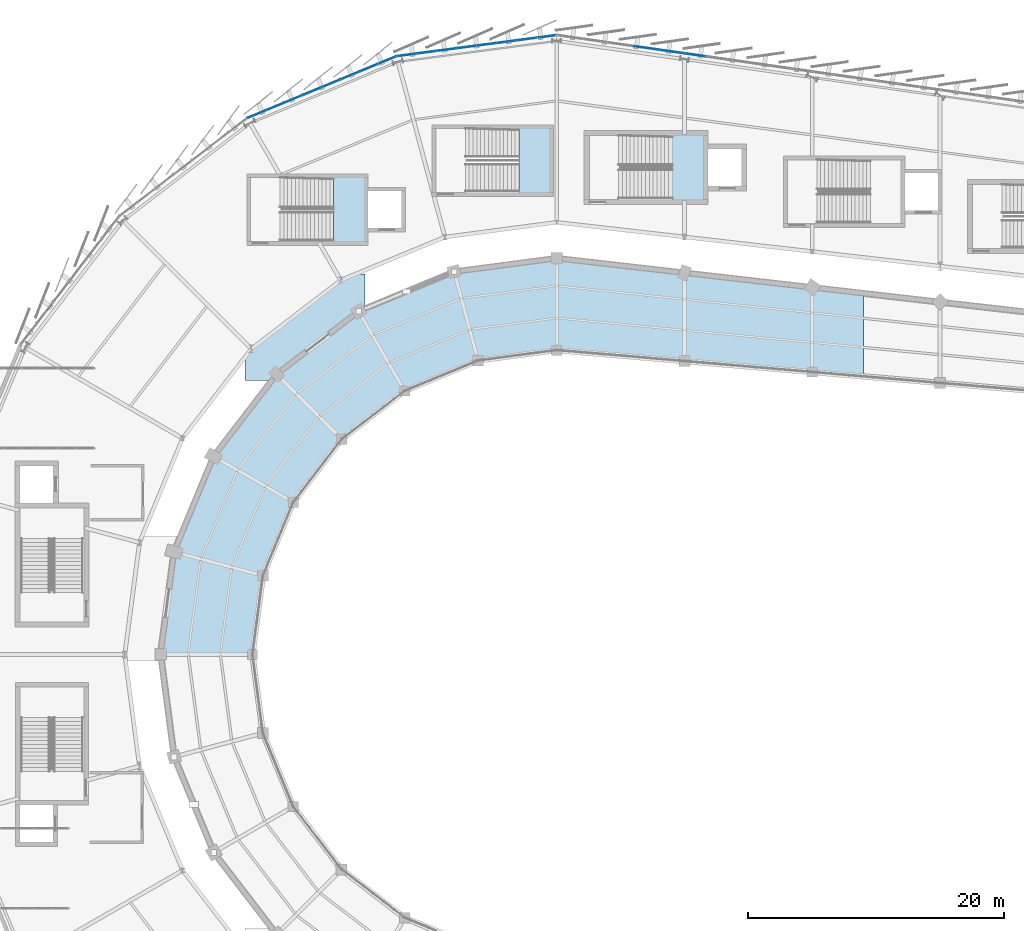
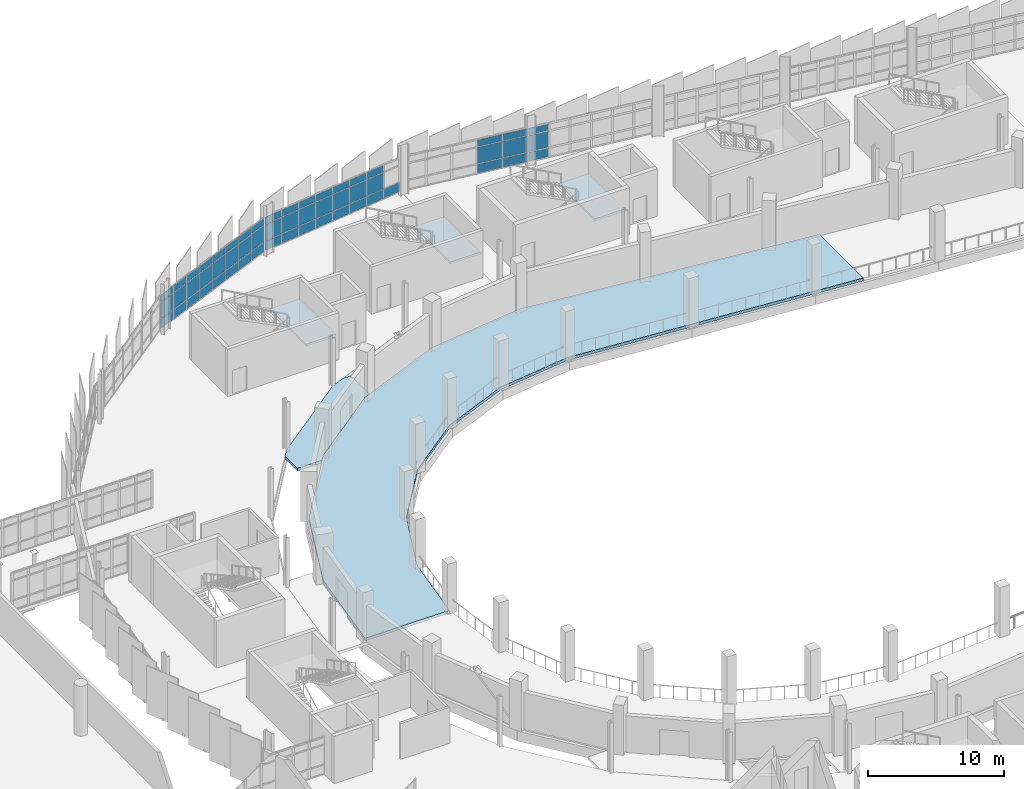
# One storey, part 90 of 125: 55 plates, 5 slabs, 7 elements without a shape of their own.
"""IFC4 building model written with IfcOpenShell, lengths in metres."""

from ifc_helpers import new_model, si_unit, direction, frame, origin, origin_2d, place, context, subcontext, project, spatial, polyline, rectangle, outline, extrude, material, layer, layer_set, type_object, element, aggregate, save


model = new_model("IFC4")

# Units and contexts
model_context = context("Model", 3, precision=1e-05, world=origin(), true_north=direction((0.0, 1.0)))
body_context = subcontext(model_context, "Body", "Model", "MODEL_VIEW")
ifc_project = project(units=[si_unit("LENGTHUNIT", "METRE"), si_unit("AREAUNIT", "SQUARE_METRE"), si_unit("VOLUMEUNIT", "CUBIC_METRE"), si_unit("PLANEANGLEUNIT", "RADIAN"), si_unit("MASSUNIT", "GRAM", prefix="KILO")], contexts=[model_context])

# Site, building, storey
site_placement = place(None, origin())
site = spatial("IfcSite", under=ifc_project, at=site_placement, CompositionType="ELEMENT")
building_placement = place(site_placement, origin())
building = spatial("IfcBuilding", under=site, at=building_placement, Name="Sohan Crest Arena", CompositionType="ELEMENT")
storey_placement = place(building_placement, frame((0.0, 0.0, 9.0)))
storey = spatial("IfcBuildingStorey", under=building, at=storey_placement, Name="L02", CompositionType="ELEMENT", Elevation=9.0)

# Curtain wall, plates
ifc_material_1 = material(Name="Thermally broken anodised aluminium", Category="aluminium")
ifc_layer_1 = layer(ifc_material_1, 0.179931640625, Name="Thermally broken anodised aluminium")
ifc_layer_set_1 = layer_set([ifc_layer_1], Name="Thermally broken anodised aluminium")
curtain_wall_type_1 = type_object("IfcCurtainWallType", Name="ARC-CW01", PredefinedType="NOTDEFINED", material=ifc_layer_set_1)
curtain_wall_1_placement = place(storey_placement, origin())
curtain_wall_1 = element("IfcCurtainWall", 1, at=curtain_wall_1_placement, inside=storey, type_object=curtain_wall_type_1, Name="Unitised curtain wall CW-050", PredefinedType="NOTDEFINED")
ifc_material_2 = material(Name="Low-E double-glazed insulated glass", Category="glass")
ifc_layer_2 = layer(ifc_material_2, 0.028076171875, Name="Low-E double-glazed insulated glass")
ifc_layer_set_2 = layer_set([ifc_layer_2], Name="Low-E double-glazed insulated glass")
plate_type_1 = type_object("IfcPlateType", Name="ARC-CNP01", PredefinedType="CURTAIN_PANEL", material=ifc_layer_set_2)
plate_1_placement = place(storey_placement, frame((97.201416015625, 126.344970703125, 0.06005859375), z_axis=(0.0, 0.0, 1.0), x_axis=(-0.991444066575, -0.130532229177, 0.0)))
plate_1 = element("IfcPlate", 2, at=plate_1_placement, type_object=plate_type_1, Name="CW-050 panel 1.1", PredefinedType="CURTAIN_PANEL", context=body_context, shape_type="SweptSolid", body=[
    extrude(rectangle(XDim=1.490966796875, YDim=0.028076171875, at=origin_2d()), origin(), (0.0, 0.0, 1.0), 0.81005859375),
])
plate_2_placement = place(storey_placement, frame((95.648681640625, 126.140380859375, 0.06005859375), z_axis=(0.0, 0.0, 1.0), x_axis=(-0.991444066575, -0.130532229177, 0.0)))
plate_2 = element("IfcPlate", 3, at=plate_2_placement, type_object=plate_type_1, Name="CW-050 panel 2.1", PredefinedType="CURTAIN_PANEL", context=body_context, shape_type="SweptSolid", body=[
    extrude(rectangle(XDim=1.52099609375, YDim=0.028076171875, at=origin_2d()), origin(), (0.0, 0.0, 1.0), 0.81005859375),
])
plate_3_placement = place(storey_placement, frame((95.648681640625, 126.140380859375, 0.929931640625), z_axis=(0.0, 0.0, 1.0), x_axis=(-0.991444066575, -0.130532229177, 0.0)))
plate_3 = element("IfcPlate", 4, at=plate_3_placement, type_object=plate_type_1, Name="CW-050 panel 2.2", PredefinedType="CURTAIN_PANEL", context=body_context, shape_type="SweptSolid", body=[
    extrude(rectangle(XDim=1.52099609375, YDim=0.028076171875, at=origin_2d()), origin(), (0.0, 0.0, 1.0), 1.4599609375),
])
plate_4_placement = place(storey_placement, frame((95.648681640625, 126.140380859375, 2.44970703125), z_axis=(0.0, 0.0, 1.0), x_axis=(-0.991444066575, -0.130532229177, 0.0)))
plate_4 = element("IfcPlate", 5, at=plate_4_placement, type_object=plate_type_1, Name="CW-050 panel 2.3", PredefinedType="CURTAIN_PANEL", context=body_context, shape_type="SweptSolid", body=[
    extrude(rectangle(XDim=1.52099609375, YDim=0.028076171875, at=origin_2d()), origin(), (0.0, 0.0, 1.0), 0.610107421875),
])
plate_5_placement = place(storey_placement, frame((94.081298828125, 125.93408203125, 0.06005859375), z_axis=(0.0, 0.0, 1.0), x_axis=(-0.991444066575, -0.130532229177, 0.0)))
plate_5 = element("IfcPlate", 6, at=plate_5_placement, type_object=plate_type_1, Name="CW-050 panel 3.1", PredefinedType="CURTAIN_PANEL", context=body_context, shape_type="SweptSolid", body=[
    extrude(rectangle(XDim=1.52099609375, YDim=0.028076171875, at=origin_2d()), origin(), (0.0, 0.0, 1.0), 0.81005859375),
])
plate_6_placement = place(storey_placement, frame((94.081298828125, 125.93408203125, 0.929931640625), z_axis=(0.0, 0.0, 1.0), x_axis=(-0.991444066575, -0.130532229177, 0.0)))
plate_6 = element("IfcPlate", 7, at=plate_6_placement, type_object=plate_type_1, Name="CW-050 panel 3.2", PredefinedType="CURTAIN_PANEL", context=body_context, shape_type="SweptSolid", body=[
    extrude(rectangle(XDim=1.52099609375, YDim=0.028076171875, at=origin_2d()), origin(), (0.0, 0.0, 1.0), 1.4599609375),
])
plate_7_placement = place(storey_placement, frame((94.081298828125, 125.93408203125, 2.44970703125), z_axis=(0.0, 0.0, 1.0), x_axis=(-0.991444066575, -0.130532229177, 0.0)))
plate_7 = element("IfcPlate", 8, at=plate_7_placement, type_object=plate_type_1, Name="CW-050 panel 3.3", PredefinedType="CURTAIN_PANEL", context=body_context, shape_type="SweptSolid", body=[
    extrude(rectangle(XDim=1.52099609375, YDim=0.028076171875, at=origin_2d()), origin(), (0.0, 0.0, 1.0), 0.610107421875),
])
plate_8_placement = place(storey_placement, frame((92.513671875, 125.727783203125, 0.06005859375), z_axis=(0.0, 0.0, 1.0), x_axis=(-0.991444066575, -0.130532229177, 0.0)))
plate_8 = element("IfcPlate", 9, at=plate_8_placement, type_object=plate_type_1, Name="CW-050 panel 4.1", PredefinedType="CURTAIN_PANEL", context=body_context, shape_type="SweptSolid", body=[
    extrude(rectangle(XDim=1.52099609375, YDim=0.028076171875, at=origin_2d()), origin(), (0.0, 0.0, 1.0), 0.81005859375),
])
plate_9_placement = place(storey_placement, frame((92.513671875, 125.727783203125, 0.929931640625), z_axis=(0.0, 0.0, 1.0), x_axis=(-0.991444066575, -0.130532229177, 0.0)))
plate_9 = element("IfcPlate", 10, at=plate_9_placement, type_object=plate_type_1, Name="CW-050 panel 4.2", PredefinedType="CURTAIN_PANEL", context=body_context, shape_type="SweptSolid", body=[
    extrude(rectangle(XDim=1.52099609375, YDim=0.028076171875, at=origin_2d()), origin(), (0.0, 0.0, 1.0), 1.4599609375),
])
plate_10_placement = place(storey_placement, frame((92.513671875, 125.727783203125, 2.44970703125), z_axis=(0.0, 0.0, 1.0), x_axis=(-0.991444066575, -0.130532229177, 0.0)))
plate_10 = element("IfcPlate", 11, at=plate_10_placement, type_object=plate_type_1, Name="CW-050 panel 4.3", PredefinedType="CURTAIN_PANEL", context=body_context, shape_type="SweptSolid", body=[
    extrude(rectangle(XDim=1.52099609375, YDim=0.028076171875, at=origin_2d()), origin(), (0.0, 0.0, 1.0), 0.610107421875),
])
plate_11_placement = place(storey_placement, frame((90.9462890625, 125.521240234375, 0.06005859375), z_axis=(0.0, 0.0, 1.0), x_axis=(-0.991444066575, -0.130532229177, 0.0)))
plate_11 = element("IfcPlate", 12, at=plate_11_placement, type_object=plate_type_1, Name="CW-050 panel 5.1", PredefinedType="CURTAIN_PANEL", context=body_context, shape_type="SweptSolid", body=[
    extrude(rectangle(XDim=1.52099609375, YDim=0.028076171875, at=origin_2d()), origin(), (0.0, 0.0, 1.0), 0.81005859375),
])
plate_12_placement = place(storey_placement, frame((90.9462890625, 125.521240234375, 0.929931640625), z_axis=(0.0, 0.0, 1.0), x_axis=(-0.991444066575, -0.130532229177, 0.0)))
plate_12 = element("IfcPlate", 13, at=plate_12_placement, type_object=plate_type_1, Name="CW-050 panel 5.2", PredefinedType="CURTAIN_PANEL", context=body_context, shape_type="SweptSolid", body=[
    extrude(rectangle(XDim=1.52099609375, YDim=0.028076171875, at=origin_2d()), origin(), (0.0, 0.0, 1.0), 1.4599609375),
])
plate_13_placement = place(storey_placement, frame((90.9462890625, 125.521240234375, 2.44970703125), z_axis=(0.0, 0.0, 1.0), x_axis=(-0.991444066575, -0.130532229177, 0.0)))
plate_13 = element("IfcPlate", 14, at=plate_13_placement, type_object=plate_type_1, Name="CW-050 panel 5.3", PredefinedType="CURTAIN_PANEL", context=body_context, shape_type="SweptSolid", body=[
    extrude(rectangle(XDim=1.52099609375, YDim=0.028076171875, at=origin_2d()), origin(), (0.0, 0.0, 1.0), 0.610107421875),
])
plate_14_placement = place(storey_placement, frame((89.378662109375, 125.31494140625, 0.06005859375), z_axis=(0.0, 0.0, 1.0), x_axis=(-0.991444066575, -0.130532229177, 0.0)))
plate_14 = element("IfcPlate", 15, at=plate_14_placement, type_object=plate_type_1, Name="CW-050 panel 6.1", PredefinedType="CURTAIN_PANEL", context=body_context, shape_type="SweptSolid", body=[
    extrude(rectangle(XDim=1.52099609375, YDim=0.028076171875, at=origin_2d()), origin(), (0.0, 0.0, 1.0), 0.81005859375),
])
plate_15_placement = place(storey_placement, frame((89.378662109375, 125.31494140625, 0.929931640625), z_axis=(0.0, 0.0, 1.0), x_axis=(-0.991444066575, -0.130532229177, 0.0)))
plate_15 = element("IfcPlate", 16, at=plate_15_placement, type_object=plate_type_1, Name="CW-050 panel 6.2", PredefinedType="CURTAIN_PANEL", context=body_context, shape_type="SweptSolid", body=[
    extrude(rectangle(XDim=1.52099609375, YDim=0.028076171875, at=origin_2d()), origin(), (0.0, 0.0, 1.0), 1.4599609375),
])
plate_16_placement = place(storey_placement, frame((89.378662109375, 125.31494140625, 2.44970703125), z_axis=(0.0, 0.0, 1.0), x_axis=(-0.991444066575, -0.130532229177, 0.0)))
plate_16 = element("IfcPlate", 17, at=plate_16_placement, type_object=plate_type_1, Name="CW-050 panel 6.3", PredefinedType="CURTAIN_PANEL", context=body_context, shape_type="SweptSolid", body=[
    extrude(rectangle(XDim=1.52099609375, YDim=0.028076171875, at=origin_2d()), origin(), (0.0, 0.0, 1.0), 0.610107421875),
])
plate_17_placement = place(storey_placement, frame((87.811279296875, 125.108642578125, 0.06005859375), z_axis=(0.0, 0.0, 1.0), x_axis=(-0.991444066575, -0.130532229177, 0.0)))
plate_17 = element("IfcPlate", 18, at=plate_17_placement, type_object=plate_type_1, Name="CW-050 panel 7.1", PredefinedType="CURTAIN_PANEL", context=body_context, shape_type="SweptSolid", body=[
    extrude(rectangle(XDim=1.52099609375, YDim=0.028076171875, at=origin_2d()), origin(), (0.0, 0.0, 1.0), 0.81005859375),
])
plate_18_placement = place(storey_placement, frame((87.811279296875, 125.108642578125, 0.929931640625), z_axis=(0.0, 0.0, 1.0), x_axis=(-0.991444066575, -0.130532229177, 0.0)))
plate_18 = element("IfcPlate", 19, at=plate_18_placement, type_object=plate_type_1, Name="CW-050 panel 7.2", PredefinedType="CURTAIN_PANEL", context=body_context, shape_type="SweptSolid", body=[
    extrude(rectangle(XDim=1.52099609375, YDim=0.028076171875, at=origin_2d()), origin(), (0.0, 0.0, 1.0), 1.4599609375),
])
plate_19_placement = place(storey_placement, frame((87.811279296875, 125.108642578125, 2.44970703125), z_axis=(0.0, 0.0, 1.0), x_axis=(-0.991444066575, -0.130532229177, 0.0)))
plate_19 = element("IfcPlate", 20, at=plate_19_placement, type_object=plate_type_1, Name="CW-050 panel 7.3", PredefinedType="CURTAIN_PANEL", context=body_context, shape_type="SweptSolid", body=[
    extrude(rectangle(XDim=1.52099609375, YDim=0.028076171875, at=origin_2d()), origin(), (0.0, 0.0, 1.0), 0.610107421875),
])
plate_20_placement = place(storey_placement, frame((86.258544921875, 124.904052734375, 0.06005859375), z_axis=(0.0, 0.0, 1.0), x_axis=(-0.991444066575, -0.130532229177, 0.0)))
plate_20 = element("IfcPlate", 21, at=plate_20_placement, type_object=plate_type_1, Name="CW-050 panel 8.1", PredefinedType="CURTAIN_PANEL", context=body_context, shape_type="SweptSolid", body=[
    extrude(rectangle(XDim=1.490966796875, YDim=0.028076171875, at=origin_2d()), origin(), (0.0, 0.0, 1.0), 0.81005859375),
])
plate_21_placement = place(storey_placement, frame((86.258544921875, 124.904052734375, 0.929931640625), z_axis=(0.0, 0.0, 1.0), x_axis=(-0.991444066575, -0.130532229177, 0.0)))
plate_21 = element("IfcPlate", 22, at=plate_21_placement, type_object=plate_type_1, Name="CW-050 panel 8.2", PredefinedType="CURTAIN_PANEL", context=body_context, shape_type="SweptSolid", body=[
    extrude(rectangle(XDim=1.490966796875, YDim=0.028076171875, at=origin_2d()), origin(), (0.0, 0.0, 1.0), 1.4599609375),
])
plate_22_placement = place(storey_placement, frame((86.258544921875, 124.904052734375, 2.44970703125), z_axis=(0.0, 0.0, 1.0), x_axis=(-0.991444066575, -0.130532229177, 0.0)))
plate_22 = element("IfcPlate", 23, at=plate_22_placement, type_object=plate_type_1, Name="CW-050 panel 8.3", PredefinedType="CURTAIN_PANEL", context=body_context, shape_type="SweptSolid", body=[
    extrude(rectangle(XDim=1.490966796875, YDim=0.028076171875, at=origin_2d()), origin(), (0.0, 0.0, 1.0), 0.610107421875),
])
aggregate(curtain_wall_1, [plate_1, plate_2, plate_3, plate_4, plate_5, plate_6, plate_7, plate_8, plate_9, plate_10, plate_11, plate_12, plate_13, plate_14, plate_15, plate_16, plate_17, plate_18, plate_19, plate_20, plate_21, plate_22])

ifc_layer_3 = layer(ifc_material_1, 0.219970703125, Name="Thermally broken anodised aluminium")
ifc_layer_set_3 = layer_set([ifc_layer_3], Name="Thermally broken anodised aluminium")
curtain_wall_type_2 = type_object("IfcCurtainWallType", Name="ARC-CW03", PredefinedType="NOTDEFINED", material=ifc_layer_set_3)
curtain_wall_2_placement = place(storey_placement, origin())
curtain_wall_2 = element("IfcCurtainWall", 24, at=curtain_wall_2_placement, inside=storey, type_object=curtain_wall_type_2, Name="Unitised curtain wall CW-078", PredefinedType="NOTDEFINED")
plate_23_placement = place(storey_placement, frame((108.84814453125, 124.89990234375, 0.070068359375), z_axis=(0.0, 0.0, 1.0), x_axis=(-0.989957411768, 0.141365918403, 0.0)))
plate_23 = element("IfcPlate", 25, at=plate_23_placement, type_object=plate_type_1, Name="CW-078 panel 6.1", PredefinedType="CURTAIN_PANEL", context=body_context, shape_type="SweptSolid", body=[
    extrude(rectangle(XDim=1.593505859375, YDim=0.028076171875, at=origin_2d()), origin(), (0.0, 0.0, 1.0), 0.794921875),
])
plate_24_placement = place(storey_placement, frame((108.84814453125, 124.89990234375, 0.93505859375), z_axis=(0.0, 0.0, 1.0), x_axis=(-0.989957411768, 0.141365918403, 0.0)))
plate_24 = element("IfcPlate", 26, at=plate_24_placement, type_object=plate_type_1, Name="CW-078 panel 6.2", PredefinedType="CURTAIN_PANEL", context=body_context, shape_type="SweptSolid", body=[
    extrude(rectangle(XDim=1.593505859375, YDim=0.028076171875, at=origin_2d()), origin(), (0.0, 0.0, 1.0), 1.449951171875),
])
plate_25_placement = place(storey_placement, frame((108.84814453125, 124.89990234375, 2.455078125), z_axis=(0.0, 0.0, 1.0), x_axis=(-0.989957411768, 0.141365918403, 0.0)))
plate_25 = element("IfcPlate", 27, at=plate_25_placement, type_object=plate_type_1, Name="CW-078 panel 6.3", PredefinedType="CURTAIN_PANEL", context=body_context, shape_type="SweptSolid", body=[
    extrude(rectangle(XDim=1.593505859375, YDim=0.028076171875, at=origin_2d()), origin(), (0.0, 0.0, 1.0), 0.594970703125),
])
aggregate(curtain_wall_2, [plate_23, plate_24, plate_25])

ifc_layer_4 = layer(ifc_material_1, 0.199951171875, Name="Thermally broken anodised aluminium")
ifc_layer_set_4 = layer_set([ifc_layer_4], Name="Thermally broken anodised aluminium")
curtain_wall_type_3 = type_object("IfcCurtainWallType", Name="ARC-CW02", PredefinedType="NOTDEFINED", material=ifc_layer_set_4)
curtain_wall_3_placement = place(storey_placement, origin())
curtain_wall_3 = element("IfcCurtainWall", 28, at=curtain_wall_3_placement, inside=storey, type_object=curtain_wall_type_3, Name="Unitised curtain wall CW-051", PredefinedType="NOTDEFINED")
ifc_layer_5 = layer(ifc_material_2, 0.031982421875, Name="Low-E double-glazed insulated glass")
ifc_layer_set_5 = layer_set([ifc_layer_5], Name="Low-E double-glazed insulated glass")
plate_type_2 = type_object("IfcPlateType", Name="ARC-CNP02", PredefinedType="CURTAIN_PANEL", material=ifc_layer_set_5)
plate_26_placement = place(storey_placement, frame((84.714599609375, 124.490234375, 0.06494140625), z_axis=(0.0, 0.0, 1.0), x_axis=(-0.92388192189, -0.382677663845, 0.0)))
plate_26 = element("IfcPlate", 29, at=plate_26_placement, type_object=plate_type_2, Name="CW-051 panel 1.1", PredefinedType="CURTAIN_PANEL", context=body_context, shape_type="SweptSolid", body=[
    extrude(rectangle(XDim=1.4833984375, YDim=0.031982421875, at=origin_2d()), origin(), (0.0, 0.0, 1.0), 0.802490234375),
])
plate_27_placement = place(storey_placement, frame((84.714599609375, 124.490234375, 0.932373046875), z_axis=(0.0, 0.0, 1.0), x_axis=(-0.92388192189, -0.382677663845, 0.0)))
plate_27 = element("IfcPlate", 30, at=plate_27_placement, type_object=plate_type_2, Name="CW-051 panel 1.2", PredefinedType="CURTAIN_PANEL", context=body_context, shape_type="SweptSolid", body=[
    extrude(rectangle(XDim=1.4833984375, YDim=0.031982421875, at=origin_2d()), origin(), (0.0, 0.0, 1.0), 1.455078125),
])
plate_28_placement = place(storey_placement, frame((84.714599609375, 124.490234375, 2.452392578125), z_axis=(0.0, 0.0, 1.0), x_axis=(-0.92388192189, -0.382677663845, 0.0)))
plate_28 = element("IfcPlate", 31, at=plate_28_placement, type_object=plate_type_2, Name="CW-051 panel 1.3", PredefinedType="CURTAIN_PANEL", context=body_context, shape_type="SweptSolid", body=[
    extrude(rectangle(XDim=1.4833984375, YDim=0.031982421875, at=origin_2d()), origin(), (0.0, 0.0, 1.0), 0.6025390625),
])
plate_29_placement = place(storey_placement, frame((83.26904296875, 123.8916015625, 0.06494140625), z_axis=(0.0, 0.0, 1.0), x_axis=(-0.92388192189, -0.382677663845, 0.0)))
plate_29 = element("IfcPlate", 32, at=plate_29_placement, type_object=plate_type_2, Name="CW-051 panel 2.1", PredefinedType="CURTAIN_PANEL", context=body_context, shape_type="SweptSolid", body=[
    extrude(rectangle(XDim=1.515869140625, YDim=0.031982421875, at=origin_2d()), origin(), (0.0, 0.0, 1.0), 0.802490234375),
])
plate_30_placement = place(storey_placement, frame((83.26904296875, 123.8916015625, 0.932373046875), z_axis=(0.0, 0.0, 1.0), x_axis=(-0.92388192189, -0.382677663845, 0.0)))
plate_30 = element("IfcPlate", 33, at=plate_30_placement, type_object=plate_type_2, Name="CW-051 panel 2.2", PredefinedType="CURTAIN_PANEL", context=body_context, shape_type="SweptSolid", body=[
    extrude(rectangle(XDim=1.515869140625, YDim=0.031982421875, at=origin_2d()), origin(), (0.0, 0.0, 1.0), 1.455078125),
])
plate_31_placement = place(storey_placement, frame((83.26904296875, 123.8916015625, 2.452392578125), z_axis=(0.0, 0.0, 1.0), x_axis=(-0.92388192189, -0.382677663845, 0.0)))
plate_31 = element("IfcPlate", 34, at=plate_31_placement, type_object=plate_type_2, Name="CW-051 panel 2.3", PredefinedType="CURTAIN_PANEL", context=body_context, shape_type="SweptSolid", body=[
    extrude(rectangle(XDim=1.515869140625, YDim=0.031982421875, at=origin_2d()), origin(), (0.0, 0.0, 1.0), 0.6025390625),
])
plate_32_placement = place(storey_placement, frame((81.808349609375, 123.28662109375, 0.06494140625), z_axis=(0.0, 0.0, 1.0), x_axis=(-0.92388192189, -0.382677663845, 0.0)))
plate_32 = element("IfcPlate", 35, at=plate_32_placement, type_object=plate_type_2, Name="CW-051 panel 3.1", PredefinedType="CURTAIN_PANEL", context=body_context, shape_type="SweptSolid", body=[
    extrude(rectangle(XDim=1.515869140625, YDim=0.031982421875, at=origin_2d()), origin(), (0.0, 0.0, 1.0), 0.802490234375),
])
plate_33_placement = place(storey_placement, frame((81.808349609375, 123.28662109375, 0.932373046875), z_axis=(0.0, 0.0, 1.0), x_axis=(-0.92388192189, -0.382677663845, 0.0)))
plate_33 = element("IfcPlate", 36, at=plate_33_placement, type_object=plate_type_2, Name="CW-051 panel 3.2", PredefinedType="CURTAIN_PANEL", context=body_context, shape_type="SweptSolid", body=[
    extrude(rectangle(XDim=1.515869140625, YDim=0.031982421875, at=origin_2d()), origin(), (0.0, 0.0, 1.0), 1.455078125),
])
plate_34_placement = place(storey_placement, frame((81.808349609375, 123.28662109375, 2.452392578125), z_axis=(0.0, 0.0, 1.0), x_axis=(-0.92388192189, -0.382677663845, 0.0)))
plate_34 = element("IfcPlate", 37, at=plate_34_placement, type_object=plate_type_2, Name="CW-051 panel 3.3", PredefinedType="CURTAIN_PANEL", context=body_context, shape_type="SweptSolid", body=[
    extrude(rectangle(XDim=1.515869140625, YDim=0.031982421875, at=origin_2d()), origin(), (0.0, 0.0, 1.0), 0.6025390625),
])
plate_35_placement = place(storey_placement, frame((80.347900390625, 122.681396484375, 0.06494140625), z_axis=(0.0, 0.0, 1.0), x_axis=(-0.92388192189, -0.382677663845, 0.0)))
plate_35 = element("IfcPlate", 38, at=plate_35_placement, type_object=plate_type_2, Name="CW-051 panel 4.1", PredefinedType="CURTAIN_PANEL", context=body_context, shape_type="SweptSolid", body=[
    extrude(rectangle(XDim=1.515869140625, YDim=0.031982421875, at=origin_2d()), origin(), (0.0, 0.0, 1.0), 0.802490234375),
])
plate_36_placement = place(storey_placement, frame((80.347900390625, 122.681396484375, 0.932373046875), z_axis=(0.0, 0.0, 1.0), x_axis=(-0.92388192189, -0.382677663845, 0.0)))
plate_36 = element("IfcPlate", 39, at=plate_36_placement, type_object=plate_type_2, Name="CW-051 panel 4.2", PredefinedType="CURTAIN_PANEL", context=body_context, shape_type="SweptSolid", body=[
    extrude(rectangle(XDim=1.515869140625, YDim=0.031982421875, at=origin_2d()), origin(), (0.0, 0.0, 1.0), 1.455078125),
])
plate_37_placement = place(storey_placement, frame((80.347900390625, 122.681396484375, 2.452392578125), z_axis=(0.0, 0.0, 1.0), x_axis=(-0.92388192189, -0.382677663845, 0.0)))
plate_37 = element("IfcPlate", 40, at=plate_37_placement, type_object=plate_type_2, Name="CW-051 panel 4.3", PredefinedType="CURTAIN_PANEL", context=body_context, shape_type="SweptSolid", body=[
    extrude(rectangle(XDim=1.515869140625, YDim=0.031982421875, at=origin_2d()), origin(), (0.0, 0.0, 1.0), 0.6025390625),
])
plate_38_placement = place(storey_placement, frame((78.88720703125, 122.076416015625, 0.06494140625), z_axis=(0.0, 0.0, 1.0), x_axis=(-0.92388192189, -0.382677663845, 0.0)))
plate_38 = element("IfcPlate", 41, at=plate_38_placement, type_object=plate_type_2, Name="CW-051 panel 5.1", PredefinedType="CURTAIN_PANEL", context=body_context, shape_type="SweptSolid", body=[
    extrude(rectangle(XDim=1.515869140625, YDim=0.031982421875, at=origin_2d()), origin(), (0.0, 0.0, 1.0), 0.802490234375),
])
plate_39_placement = place(storey_placement, frame((78.88720703125, 122.076416015625, 0.932373046875), z_axis=(0.0, 0.0, 1.0), x_axis=(-0.92388192189, -0.382677663845, 0.0)))
plate_39 = element("IfcPlate", 42, at=plate_39_placement, type_object=plate_type_2, Name="CW-051 panel 5.2", PredefinedType="CURTAIN_PANEL", context=body_context, shape_type="SweptSolid", body=[
    extrude(rectangle(XDim=1.515869140625, YDim=0.031982421875, at=origin_2d()), origin(), (0.0, 0.0, 1.0), 1.455078125),
])
plate_40_placement = place(storey_placement, frame((78.88720703125, 122.076416015625, 2.452392578125), z_axis=(0.0, 0.0, 1.0), x_axis=(-0.92388192189, -0.382677663845, 0.0)))
plate_40 = element("IfcPlate", 43, at=plate_40_placement, type_object=plate_type_2, Name="CW-051 panel 5.3", PredefinedType="CURTAIN_PANEL", context=body_context, shape_type="SweptSolid", body=[
    extrude(rectangle(XDim=1.515869140625, YDim=0.031982421875, at=origin_2d()), origin(), (0.0, 0.0, 1.0), 0.6025390625),
])
plate_41_placement = place(storey_placement, frame((77.426513671875, 121.471435546875, 0.06494140625), z_axis=(0.0, 0.0, 1.0), x_axis=(-0.92388192189, -0.382677663845, 0.0)))
plate_41 = element("IfcPlate", 44, at=plate_41_placement, type_object=plate_type_2, Name="CW-051 panel 6.1", PredefinedType="CURTAIN_PANEL", context=body_context, shape_type="SweptSolid", body=[
    extrude(rectangle(XDim=1.515869140625, YDim=0.031982421875, at=origin_2d()), origin(), (0.0, 0.0, 1.0), 0.802490234375),
])
plate_42_placement = place(storey_placement, frame((77.426513671875, 121.471435546875, 0.932373046875), z_axis=(0.0, 0.0, 1.0), x_axis=(-0.92388192189, -0.382677663845, 0.0)))
plate_42 = element("IfcPlate", 45, at=plate_42_placement, type_object=plate_type_2, Name="CW-051 panel 6.2", PredefinedType="CURTAIN_PANEL", context=body_context, shape_type="SweptSolid", body=[
    extrude(rectangle(XDim=1.515869140625, YDim=0.031982421875, at=origin_2d()), origin(), (0.0, 0.0, 1.0), 1.455078125),
])
plate_43_placement = place(storey_placement, frame((77.426513671875, 121.471435546875, 2.452392578125), z_axis=(0.0, 0.0, 1.0), x_axis=(-0.92388192189, -0.382677663845, 0.0)))
plate_43 = element("IfcPlate", 46, at=plate_43_placement, type_object=plate_type_2, Name="CW-051 panel 6.3", PredefinedType="CURTAIN_PANEL", context=body_context, shape_type="SweptSolid", body=[
    extrude(rectangle(XDim=1.515869140625, YDim=0.031982421875, at=origin_2d()), origin(), (0.0, 0.0, 1.0), 0.6025390625),
])
plate_44_placement = place(storey_placement, frame((75.9658203125, 120.866455078125, 0.06494140625), z_axis=(0.0, 0.0, 1.0), x_axis=(-0.92388192189, -0.382677663845, 0.0)))
plate_44 = element("IfcPlate", 47, at=plate_44_placement, type_object=plate_type_2, Name="CW-051 panel 7.1", PredefinedType="CURTAIN_PANEL", context=body_context, shape_type="SweptSolid", body=[
    extrude(rectangle(XDim=1.515869140625, YDim=0.031982421875, at=origin_2d()), origin(), (0.0, 0.0, 1.0), 0.802490234375),
])
plate_45_placement = place(storey_placement, frame((75.9658203125, 120.866455078125, 0.932373046875), z_axis=(0.0, 0.0, 1.0), x_axis=(-0.92388192189, -0.382677663845, 0.0)))
plate_45 = element("IfcPlate", 48, at=plate_45_placement, type_object=plate_type_2, Name="CW-051 panel 7.2", PredefinedType="CURTAIN_PANEL", context=body_context, shape_type="SweptSolid", body=[
    extrude(rectangle(XDim=1.515869140625, YDim=0.031982421875, at=origin_2d()), origin(), (0.0, 0.0, 1.0), 1.455078125),
])
plate_46_placement = place(storey_placement, frame((75.9658203125, 120.866455078125, 2.452392578125), z_axis=(0.0, 0.0, 1.0), x_axis=(-0.92388192189, -0.382677663845, 0.0)))
plate_46 = element("IfcPlate", 49, at=plate_46_placement, type_object=plate_type_2, Name="CW-051 panel 7.3", PredefinedType="CURTAIN_PANEL", context=body_context, shape_type="SweptSolid", body=[
    extrude(rectangle(XDim=1.515869140625, YDim=0.031982421875, at=origin_2d()), origin(), (0.0, 0.0, 1.0), 0.6025390625),
])
plate_47_placement = place(storey_placement, frame((74.520263671875, 120.267822265625, 0.06494140625), z_axis=(0.0, 0.0, 1.0), x_axis=(-0.92388192189, -0.382677663845, 0.0)))
plate_47 = element("IfcPlate", 50, at=plate_47_placement, type_object=plate_type_2, Name="CW-051 panel 8.1", PredefinedType="CURTAIN_PANEL", context=body_context, shape_type="SweptSolid", body=[
    extrude(rectangle(XDim=1.4833984375, YDim=0.031982421875, at=origin_2d()), origin(), (0.0, 0.0, 1.0), 0.802490234375),
])
plate_48_placement = place(storey_placement, frame((74.520263671875, 120.267822265625, 0.932373046875), z_axis=(0.0, 0.0, 1.0), x_axis=(-0.92388192189, -0.382677663845, 0.0)))
plate_48 = element("IfcPlate", 51, at=plate_48_placement, type_object=plate_type_2, Name="CW-051 panel 8.2", PredefinedType="CURTAIN_PANEL", context=body_context, shape_type="SweptSolid", body=[
    extrude(rectangle(XDim=1.4833984375, YDim=0.031982421875, at=origin_2d()), origin(), (0.0, 0.0, 1.0), 1.455078125),
])
plate_49_placement = place(storey_placement, frame((74.520263671875, 120.267822265625, 2.452392578125), z_axis=(0.0, 0.0, 1.0), x_axis=(-0.92388192189, -0.382677663845, 0.0)))
plate_49 = element("IfcPlate", 52, at=plate_49_placement, type_object=plate_type_2, Name="CW-051 panel 8.3", PredefinedType="CURTAIN_PANEL", context=body_context, shape_type="SweptSolid", body=[
    extrude(rectangle(XDim=1.4833984375, YDim=0.031982421875, at=origin_2d()), origin(), (0.0, 0.0, 1.0), 0.6025390625),
])
aggregate(curtain_wall_3, [plate_26, plate_27, plate_28, plate_29, plate_30, plate_31, plate_32, plate_33, plate_34, plate_35, plate_36, plate_37, plate_38, plate_39, plate_40, plate_41, plate_42, plate_43, plate_44, plate_45, plate_46, plate_47, plate_48, plate_49])

ifc_layer_6 = layer(ifc_material_1, 0.239990234375, Name="Thermally broken anodised aluminium")
ifc_layer_set_6 = layer_set([ifc_layer_6], Name="Thermally broken anodised aluminium")
curtain_wall_type_4 = type_object("IfcCurtainWallType", Name="ARC-CW04", PredefinedType="NOTDEFINED", material=ifc_layer_set_6)
curtain_wall_4_placement = place(storey_placement, origin())
curtain_wall_4 = element("IfcCurtainWall", 53, at=curtain_wall_4_placement, inside=storey, type_object=curtain_wall_type_4, Name="Unitised curtain wall CW-079", PredefinedType="NOTDEFINED")
plate_50_placement = place(storey_placement, frame((106.98388671875, 125.166259765625, 0.06005859375), z_axis=(0.0, 0.0, 1.0), x_axis=(-0.989943553128, 0.141462933734, 0.0)))
plate_50 = element("IfcPlate", 54, at=plate_50_placement, type_object=plate_type_2, Name="CW-079 panel 1.1", PredefinedType="CURTAIN_PANEL", context=body_context, shape_type="SweptSolid", body=[
    extrude(rectangle(XDim=1.9228515625, YDim=0.031982421875, at=origin_2d()), origin(), (0.0, 0.0, 1.0), 0.81005859375),
])
plate_51_placement = place(storey_placement, frame((106.98388671875, 125.166259765625, 0.929931640625), z_axis=(0.0, 0.0, 1.0), x_axis=(-0.989943553128, 0.141462933734, 0.0)))
plate_51 = element("IfcPlate", 55, at=plate_51_placement, type_object=plate_type_2, Name="CW-079 panel 1.2", PredefinedType="CURTAIN_PANEL", context=body_context, shape_type="SweptSolid", body=[
    extrude(rectangle(XDim=1.9228515625, YDim=0.031982421875, at=origin_2d()), origin(), (0.0, 0.0, 1.0), 1.4599609375),
])
plate_52_placement = place(storey_placement, frame((106.98388671875, 125.166259765625, 2.44970703125), z_axis=(0.0, 0.0, 1.0), x_axis=(-0.989943553128, 0.141462933734, 0.0)))
plate_52 = element("IfcPlate", 56, at=plate_52_placement, type_object=plate_type_2, Name="CW-079 panel 1.3", PredefinedType="CURTAIN_PANEL", context=body_context, shape_type="SweptSolid", body=[
    extrude(rectangle(XDim=1.9228515625, YDim=0.031982421875, at=origin_2d()), origin(), (0.0, 0.0, 1.0), 0.610107421875),
])
plate_53_placement = place(storey_placement, frame((105.0, 125.44970703125, 0.06005859375), z_axis=(0.0, 0.0, 1.0), x_axis=(-0.989943553128, 0.141462933734, 0.0)))
plate_53 = element("IfcPlate", 57, at=plate_53_placement, type_object=plate_type_2, Name="CW-079 panel 2.1", PredefinedType="CURTAIN_PANEL", context=body_context, shape_type="SweptSolid", body=[
    extrude(rectangle(XDim=1.955322265625, YDim=0.031982421875, at=origin_2d()), origin(), (0.0, 0.0, 1.0), 0.81005859375),
])
plate_54_placement = place(storey_placement, frame((105.0, 125.44970703125, 0.929931640625), z_axis=(0.0, 0.0, 1.0), x_axis=(-0.989943553128, 0.141462933734, 0.0)))
plate_54 = element("IfcPlate", 58, at=plate_54_placement, type_object=plate_type_2, Name="CW-079 panel 2.2", PredefinedType="CURTAIN_PANEL", context=body_context, shape_type="SweptSolid", body=[
    extrude(rectangle(XDim=1.955322265625, YDim=0.031982421875, at=origin_2d()), origin(), (0.0, 0.0, 1.0), 1.4599609375),
])
plate_55_placement = place(storey_placement, frame((105.0, 125.44970703125, 2.44970703125), z_axis=(0.0, 0.0, 1.0), x_axis=(-0.989943553128, 0.141462933734, 0.0)))
plate_55 = element("IfcPlate", 59, at=plate_55_placement, type_object=plate_type_2, Name="CW-079 panel 2.3", PredefinedType="CURTAIN_PANEL", context=body_context, shape_type="SweptSolid", body=[
    extrude(rectangle(XDim=1.955322265625, YDim=0.031982421875, at=origin_2d()), origin(), (0.0, 0.0, 1.0), 0.610107421875),
])
aggregate(curtain_wall_4, [plate_50, plate_51, plate_52, plate_53, plate_54, plate_55])

# Slabs
ifc_material_3 = material(Name="Concrete C40/50", Category="concrete")
ifc_layer_7 = layer(ifc_material_3, 0.25, Name="Concrete C40/50")
ifc_layer_set_7 = layer_set([ifc_layer_7], Name="Concrete C40/50")
slab_type_1 = type_object("IfcSlabType", Name="SL-FLR3", PredefinedType="FLOOR", material=ifc_layer_set_7)
slab_1_placement = place(storey_placement, frame((0.0, 0.0, -0.25)))
element("IfcSlab", 60, at=slab_1_placement, inside=storey, type_object=slab_type_1, Name="Bowl vomitory ring L02 Q1 SL-L02-V1Q1", PredefinedType="FLOOR", context=body_context, shape_type="SweptSolid", body=[
    extrude(outline(polyline([(68.055908203125, 86.02294921875), (71.153076171875, 93.5), (76.080078125, 99.919921875), (82.5, 104.846923828125), (89.97705078125, 107.944091796875), (98.0, 109.0), (122.0, 106.257080078125), (122.0, 99.742919921875), (98.0, 101.800048828125), (91.840087890625, 100.989013671875), (86.10009765625, 98.611083984375), (81.1708984375, 94.8291015625), (77.388916015625, 89.89990234375), (75.010986328125, 84.159912109375), (74.199951171875, 78.0), (67.0, 78.0), (68.055908203125, 86.02294921875)])), origin(), (0.0, 0.0, 1.0), 0.25),
])
slab_2_placement = place(storey_placement, frame((0.0, 0.0, -0.25)))
element("IfcSlab", 61, at=slab_2_placement, inside=storey, type_object=slab_type_1, Name="Seismic joint threshold slab L02 SL-TH-L02-02", PredefinedType="FLOOR", context=body_context, shape_type="SweptSolid", body=[
    extrude(outline(polyline([(74.10009765625, 101.89990234375), (81.10009765625, 107.27197265625), (82.306884765625, 107.77197265625), (83.0, 107.77197265625), (83.0, 105.053955078125), (82.5, 104.846923828125), (76.080078125, 99.919921875), (75.696044921875, 99.419921875), (73.60009765625, 99.419921875), (73.60009765625, 101.248046875), (74.10009765625, 101.89990234375)])), origin(), (0.0, 0.0, 1.0), 0.25),
])

# Stair, slab
stair_type_1 = type_object("IfcStairType", Name="ST-450", PredefinedType="TWO_STRAIGHT_RUN_STAIR", material=ifc_material_3)
stair_1_placement = place(storey_placement, origin())
stair_1 = element("IfcStair", 62, at=stair_1_placement, inside=storey, type_object=stair_type_1, Name="Protected exit stair ST04-L02", PredefinedType="TWO_STRAIGHT_RUN_STAIR")
ifc_layer_8 = layer(ifc_material_3, 0.199951171875, Name="Concrete C40/50")
ifc_layer_set_8 = layer_set([ifc_layer_8], Name="Concrete C40/50")
slab_type_2 = type_object("IfcSlabType", Name="SL-LND1", PredefinedType="LANDING", material=ifc_layer_set_8)
slab_3_placement = place(storey_placement, frame((0.0, 0.0, 2.050048828125)))
slab_3 = element("IfcSlab", 63, at=slab_3_placement, type_object=slab_type_2, Name="ST04-L02 landing 1", PredefinedType="LANDING", context=body_context, shape_type="SweptSolid", body=[
    extrude(outline(polyline([(80.530029296875, 110.14990234375), (83.10009765625, 110.14990234375), (83.10009765625, 115.449951171875), (80.530029296875, 115.449951171875), (80.530029296875, 110.14990234375)])), origin(), (0.0, 0.0, 1.0), 0.199951171875),
])
aggregate(stair_1, [slab_3])

stair_2_placement = place(storey_placement, origin())
stair_2 = element("IfcStair", 64, at=stair_2_placement, inside=storey, type_object=stair_type_1, Name="Protected exit stair ST06-L02", PredefinedType="TWO_STRAIGHT_RUN_STAIR")
slab_4_placement = place(storey_placement, frame((0.0, 0.0, 2.050048828125)))
slab_4 = element("IfcSlab", 65, at=slab_4_placement, type_object=slab_type_2, Name="ST06-L02 landing 1", PredefinedType="LANDING", context=body_context, shape_type="SweptSolid", body=[
    extrude(outline(polyline([(107.030029296875, 113.449951171875), (109.60009765625, 113.449951171875), (109.60009765625, 118.75), (107.030029296875, 118.75), (107.030029296875, 113.449951171875)])), origin(), (0.0, 0.0, 1.0), 0.199951171875),
])
aggregate(stair_2, [slab_4])

stair_type_2 = type_object("IfcStairType", Name="ST-450W", PredefinedType="TWO_STRAIGHT_RUN_STAIR", material=ifc_material_3)
stair_3_placement = place(storey_placement, origin())
stair_3 = element("IfcStair", 66, at=stair_3_placement, inside=storey, type_object=stair_type_2, Name="Protected exit stair ST20-L02", PredefinedType="TWO_STRAIGHT_RUN_STAIR")
slab_5_placement = place(storey_placement, frame((0.0, 0.0, 2.050048828125)))
slab_5 = element("IfcSlab", 67, at=slab_5_placement, type_object=slab_type_2, Name="ST20-L02 landing 1", PredefinedType="LANDING", context=body_context, shape_type="SweptSolid", body=[
    extrude(outline(polyline([(95.030029296875, 113.989990234375), (97.60009765625, 113.989990234375), (97.60009765625, 119.2900390625), (95.030029296875, 119.2900390625), (95.030029296875, 113.989990234375)])), origin(), (0.0, 0.0, 1.0), 0.199951171875),
])
aggregate(stair_3, [slab_5])

save(model, "model.ifc")
